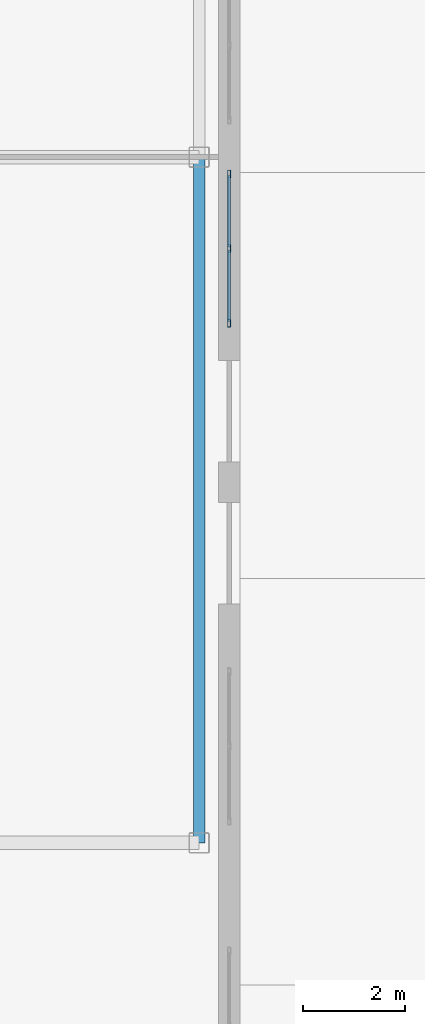
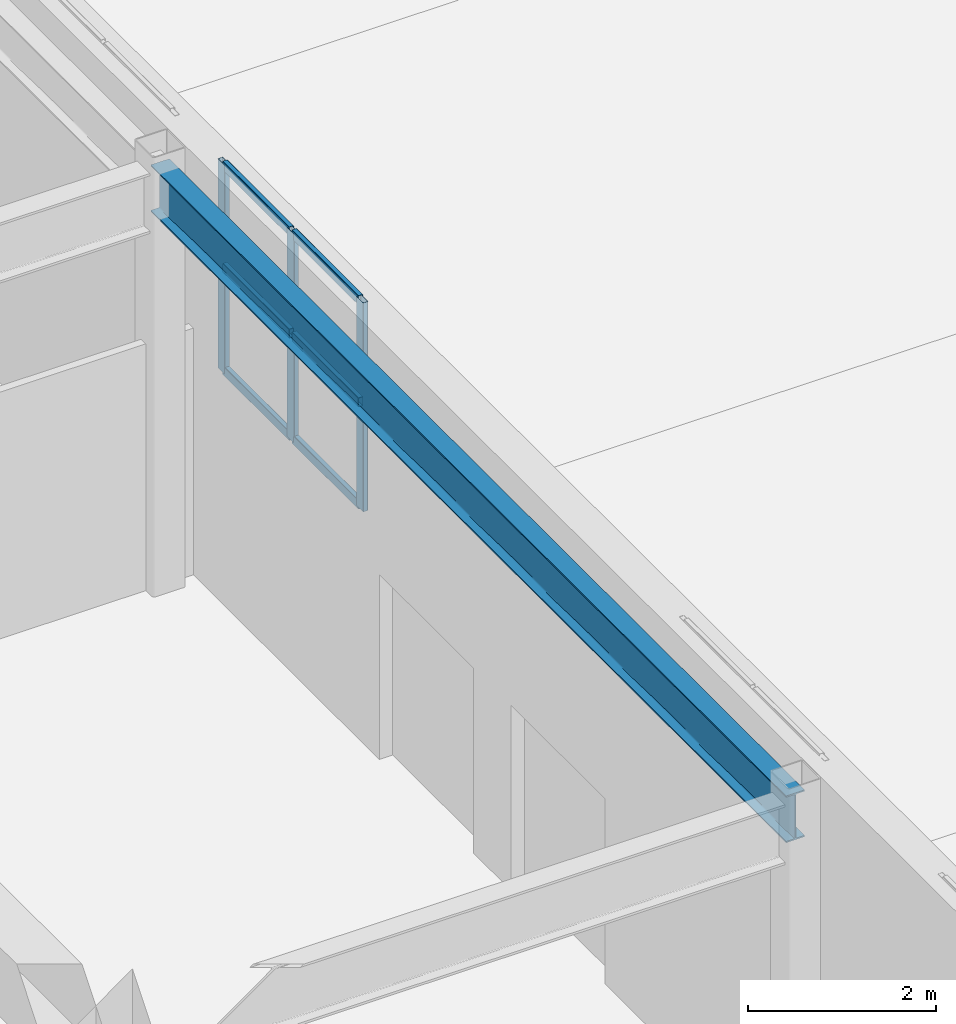
# One storey, part 7 of 18: 9 members, 1 beam, 1 element without a shape of its own.
"""IFC4 building model written with IfcOpenShell, lengths in metres."""

from ifc_helpers import new_model, entity, si_unit, converted_unit, direction, frame, origin_with_axes, origin_2d_with_axis, place, context, subcontext, project, spatial, hollow_rectangle, i_section, extrude, material, material_profile, profile_set, type_object, element, aggregate, save


model = new_model("IFC4")

# Units and contexts
model_context = context("Model", 3, precision=1e-05, world=origin_with_axes(), true_north=direction((0.0, 1.0)))
body_context = subcontext(model_context, "Body", "Model", "MODEL_VIEW")
ifc_project = project(units=[si_unit("LENGTHUNIT", "METRE"), si_unit("AREAUNIT", "SQUARE_METRE"), si_unit("VOLUMEUNIT", "CUBIC_METRE"), converted_unit("PLANEANGLEUNIT", "DEGREE", entity("IfcPlaneAngleMeasure", 0.017453292519943295), si_unit("PLANEANGLEUNIT", "RADIAN"), dimensions=[0, 0, 0, 0, 0, 0, 0]), si_unit("MASSUNIT", "GRAM", prefix="KILO"), si_unit("THERMODYNAMICTEMPERATUREUNIT", "KELVIN")], contexts=[model_context])

# Site, building, storey
site_placement = place(None, origin_with_axes())
site = spatial("IfcSite", under=ifc_project, at=site_placement, CompositionType="ELEMENT")
building_placement = place(site_placement, origin_with_axes())
building = spatial("IfcBuilding", under=site, at=building_placement, Name="Varnlund Millrace Tower", CompositionType="ELEMENT")
storey_placement = place(building_placement, origin_with_axes())
storey = spatial("IfcBuildingStorey", under=building, at=storey_placement, Name="L00", CompositionType="ELEMENT", Elevation=0.0)

# Beam
ifc_material_1 = material(Name="Steel ASTM A992 Grade 50", Category="steel")
ifc_material_profile_1 = material_profile(ifc_material_1, i_section(OverallWidth=0.228, OverallDepth=0.607, WebThickness=0.0112, FlangeThickness=0.0173, FilletRadius=0.015, at=origin_2d_with_axis()), Name="Steel ASTM A992 Grade 50")
ifc_profile_set_1 = profile_set([ifc_material_profile_1], Name="Steel ASTM A992 Grade 50")
beam_type = type_object("IfcBeamType", Name="Type-Beam-W24X76", PredefinedType="BEAM", material=ifc_profile_set_1)
beam_placement = place(storey_placement, frame((67.6, 10.8, 5.1565), z_axis=(0.0, 1.0, 0.0), x_axis=(-1.0, 0.0, 0.0)))
element("IfcBeam", 1, at=beam_placement, inside=storey, type_object=beam_type, Name="Type-Beam-W24X76", PredefinedType="BEAM", context=body_context, shape_type="SweptSolid", body=[
    extrude(i_section(OverallWidth=0.228, OverallDepth=0.607, WebThickness=0.0112, FlangeThickness=0.0173, FilletRadius=0.015, at=origin_2d_with_axis()), origin_with_axes(), (0.0, 0.0, 1.0), 13.5),
])

# Curtain wall, members
ifc_material_2 = material(Name="Thermally broken architectural bronze curtain wall", Category="aluminium")
curtain_wall_type = type_object("IfcCurtainWallType", Name="Type-CW-Sys1-Concourse", PredefinedType="NOTDEFINED", material=ifc_material_2)
curtain_wall_placement = place(storey_placement, frame((68.19, 24.0, 2.75), z_axis=(0.0, 0.0, 1.0), x_axis=(1.0, 0.0, 0.0)))
curtain_wall = element("IfcCurtainWall", 2, at=curtain_wall_placement, inside=storey, type_object=curtain_wall_type, Name="Type-CW-Sys1-Concourse", PredefinedType="NOTDEFINED")
ifc_material_3 = material(Name="Architectural bronze aluminium alloy 6063-T6", Category="aluminium")
ifc_material_profile_2 = material_profile(ifc_material_3, hollow_rectangle(XDim=0.06, YDim=0.15, WallThickness=0.004, InnerFilletRadius=0.004, OuterFilletRadius=0.008, at=origin_2d_with_axis()), Name="Architectural bronze aluminium alloy 6063-T6")
ifc_profile_set_2 = profile_set([ifc_material_profile_2], Name="Architectural bronze aluminium alloy 6063-T6")
member_type_1 = type_object("IfcMemberType", Name="Type-CW-Mullion-60X150", PredefinedType="MULLION", material=ifc_profile_set_2)
member_1_placement = place(storey_placement, frame((68.19, 23.97, 2.75), z_axis=(0.0, 0.0, 1.0), x_axis=(1.0, 0.0, 0.0)))
member_1 = element("IfcMember", 3, at=member_1_placement, type_object=member_type_1, Name="CW-01 mullion 1", PredefinedType="MULLION", context=body_context, shape_type="SweptSolid", body=[
    extrude(hollow_rectangle(XDim=0.06, YDim=0.15, WallThickness=0.004, InnerFilletRadius=0.004, OuterFilletRadius=0.008, at=origin_2d_with_axis()), origin_with_axes(), (0.0, 0.0, 1.0), 2.71),
])
member_2_placement = place(storey_placement, frame((68.19, 22.5, 2.75), z_axis=(0.0, 0.0, 1.0), x_axis=(1.0, 0.0, 0.0)))
member_2 = element("IfcMember", 4, at=member_2_placement, type_object=member_type_1, Name="CW-01 mullion 2", PredefinedType="MULLION", context=body_context, shape_type="SweptSolid", body=[
    extrude(hollow_rectangle(XDim=0.06, YDim=0.15, WallThickness=0.004, InnerFilletRadius=0.004, OuterFilletRadius=0.008, at=origin_2d_with_axis()), origin_with_axes(), (0.0, 0.0, 1.0), 2.71),
])
member_3_placement = place(storey_placement, frame((68.19, 21.03, 2.75), z_axis=(0.0, 0.0, 1.0), x_axis=(1.0, 0.0, 0.0)))
member_3 = element("IfcMember", 5, at=member_3_placement, type_object=member_type_1, Name="CW-01 mullion 3", PredefinedType="MULLION", context=body_context, shape_type="SweptSolid", body=[
    extrude(hollow_rectangle(XDim=0.06, YDim=0.15, WallThickness=0.004, InnerFilletRadius=0.004, OuterFilletRadius=0.008, at=origin_2d_with_axis()), origin_with_axes(), (0.0, 0.0, 1.0), 2.71),
])
ifc_material_profile_3 = material_profile(ifc_material_3, hollow_rectangle(XDim=0.06, YDim=0.12, WallThickness=0.004, InnerFilletRadius=0.004, OuterFilletRadius=0.008, at=origin_2d_with_axis()), Name="Architectural bronze aluminium alloy 6063-T6")
ifc_profile_set_3 = profile_set([ifc_material_profile_3], Name="Architectural bronze aluminium alloy 6063-T6")
member_type_2 = type_object("IfcMemberType", Name="Type-CW-Transom-60X120", PredefinedType="USERDEFINED", material=ifc_profile_set_3)
member_4_placement = place(storey_placement, frame((68.19, 23.94, 2.78), z_axis=(0.0, -1.0, 0.0), x_axis=(1.0, 0.0, 0.0)))
member_4 = element("IfcMember", 6, at=member_4_placement, type_object=member_type_2, Name="CW-01 transom 1.1", ObjectType="TRANSOM", PredefinedType="USERDEFINED", context=body_context, shape_type="SweptSolid", body=[
    extrude(hollow_rectangle(XDim=0.06, YDim=0.12, WallThickness=0.004, InnerFilletRadius=0.004, OuterFilletRadius=0.008, at=origin_2d_with_axis()), origin_with_axes(), (0.0, 0.0, 1.0), 1.41),
])
member_5_placement = place(storey_placement, frame((68.19, 23.94, 4.105), z_axis=(0.0, -1.0, 0.0), x_axis=(1.0, 0.0, 0.0)))
member_5 = element("IfcMember", 7, at=member_5_placement, type_object=member_type_2, Name="CW-01 transom 1.2", ObjectType="TRANSOM", PredefinedType="USERDEFINED", context=body_context, shape_type="SweptSolid", body=[
    extrude(hollow_rectangle(XDim=0.06, YDim=0.12, WallThickness=0.004, InnerFilletRadius=0.004, OuterFilletRadius=0.008, at=origin_2d_with_axis()), origin_with_axes(), (0.0, 0.0, 1.0), 1.41),
])
member_6_placement = place(storey_placement, frame((68.19, 23.94, 5.43), z_axis=(0.0, -1.0, 0.0), x_axis=(1.0, 0.0, 0.0)))
member_6 = element("IfcMember", 8, at=member_6_placement, type_object=member_type_2, Name="CW-01 transom 1.3", ObjectType="TRANSOM", PredefinedType="USERDEFINED", context=body_context, shape_type="SweptSolid", body=[
    extrude(hollow_rectangle(XDim=0.06, YDim=0.12, WallThickness=0.004, InnerFilletRadius=0.004, OuterFilletRadius=0.008, at=origin_2d_with_axis()), origin_with_axes(), (0.0, 0.0, 1.0), 1.41),
])
member_7_placement = place(storey_placement, frame((68.19, 22.47, 2.78), z_axis=(0.0, -1.0, 0.0), x_axis=(1.0, 0.0, 0.0)))
member_7 = element("IfcMember", 9, at=member_7_placement, type_object=member_type_2, Name="CW-01 transom 2.1", ObjectType="TRANSOM", PredefinedType="USERDEFINED", context=body_context, shape_type="SweptSolid", body=[
    extrude(hollow_rectangle(XDim=0.06, YDim=0.12, WallThickness=0.004, InnerFilletRadius=0.004, OuterFilletRadius=0.008, at=origin_2d_with_axis()), origin_with_axes(), (0.0, 0.0, 1.0), 1.41),
])
member_8_placement = place(storey_placement, frame((68.19, 22.47, 4.105), z_axis=(0.0, -1.0, 0.0), x_axis=(1.0, 0.0, 0.0)))
member_8 = element("IfcMember", 10, at=member_8_placement, type_object=member_type_2, Name="CW-01 transom 2.2", ObjectType="TRANSOM", PredefinedType="USERDEFINED", context=body_context, shape_type="SweptSolid", body=[
    extrude(hollow_rectangle(XDim=0.06, YDim=0.12, WallThickness=0.004, InnerFilletRadius=0.004, OuterFilletRadius=0.008, at=origin_2d_with_axis()), origin_with_axes(), (0.0, 0.0, 1.0), 1.41),
])
member_9_placement = place(storey_placement, frame((68.19, 22.47, 5.43), z_axis=(0.0, -1.0, 0.0), x_axis=(1.0, 0.0, 0.0)))
member_9 = element("IfcMember", 11, at=member_9_placement, type_object=member_type_2, Name="CW-01 transom 2.3", ObjectType="TRANSOM", PredefinedType="USERDEFINED", context=body_context, shape_type="SweptSolid", body=[
    extrude(hollow_rectangle(XDim=0.06, YDim=0.12, WallThickness=0.004, InnerFilletRadius=0.004, OuterFilletRadius=0.008, at=origin_2d_with_axis()), origin_with_axes(), (0.0, 0.0, 1.0), 1.41),
])
aggregate(curtain_wall, [member_1, member_2, member_3, member_4, member_5, member_6, member_7, member_8, member_9])

save(model, "model.ifc")
